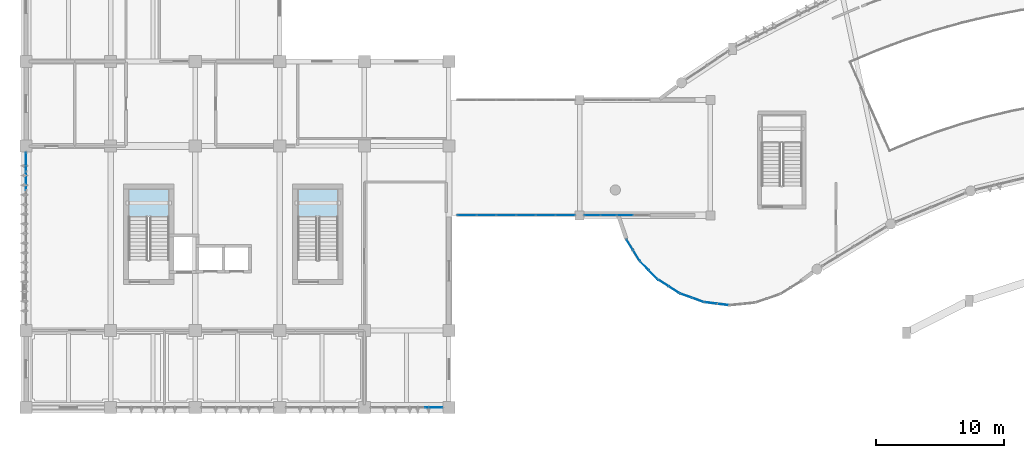
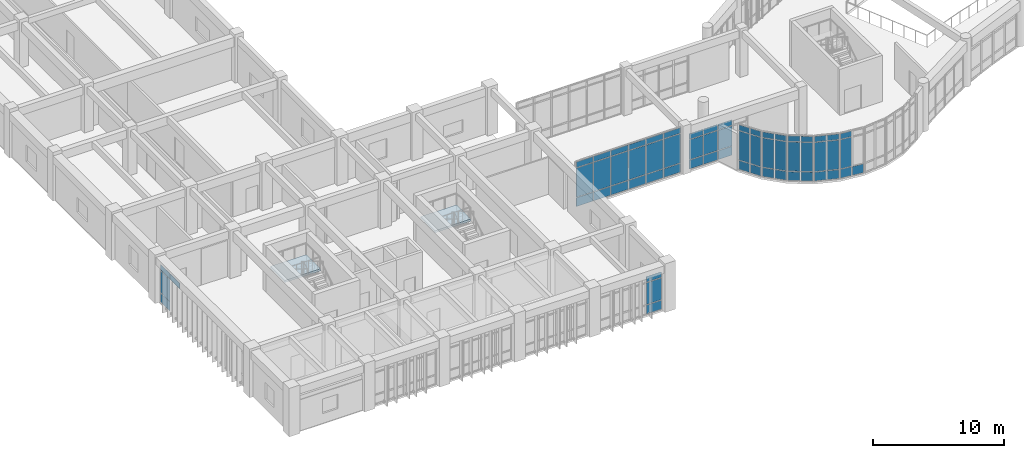
# One storey, part 32 of 57: 62 plates, 2 slabs, 11 elements without a shape of their own.
"""IFC4 building model written with IfcOpenShell, lengths in metres."""

from ifc_helpers import new_model, si_unit, direction, frame, origin, origin_2d, place, context, subcontext, project, spatial, polyline, rectangle, outline, extrude, material, layer, layer_set, type_object, element, aggregate, save


model = new_model("IFC4")

# Units and contexts
model_context = context("Model", 3, precision=1e-05, world=origin(), true_north=direction((0.0, 1.0)))
body_context = subcontext(model_context, "Body", "Model", "MODEL_VIEW")
ifc_project = project(units=[si_unit("LENGTHUNIT", "METRE"), si_unit("AREAUNIT", "SQUARE_METRE"), si_unit("VOLUMEUNIT", "CUBIC_METRE"), si_unit("PLANEANGLEUNIT", "RADIAN"), si_unit("MASSUNIT", "GRAM", prefix="KILO")], contexts=[model_context])

# Site, building, storey
site_placement = place(None, origin())
site = spatial("IfcSite", under=ifc_project, at=site_placement, CompositionType="ELEMENT")
building_placement = place(site_placement, origin())
building = spatial("IfcBuilding", under=site, at=building_placement, Name="Miralva Faculty of Natural Sciences", CompositionType="ELEMENT")
storey_placement = place(building_placement, frame((0.0, 0.0, 15.0)))
storey = spatial("IfcBuildingStorey", under=building, at=storey_placement, Name="L03", CompositionType="ELEMENT", Elevation=15.0)

# Curtain wall, plates
ifc_material_1 = material(Name="Laminated solar-control glass", Category="glass")
ifc_layer_1 = layer(ifc_material_1, 0.179931640625, Name="CW-RND-L03")
ifc_layer_set_1 = layer_set([ifc_layer_1], Name="Laminated solar-control glass")
curtain_wall_type_1 = type_object("IfcCurtainWallType", Name="CW-RND-L03", PredefinedType="USERDEFINED", material=ifc_layer_set_1)
curtain_wall_1_placement = place(storey_placement, origin())
curtain_wall_1 = element("IfcCurtainWall", 1, at=curtain_wall_1_placement, inside=storey, type_object=curtain_wall_type_1, Name="Curtain wall CW-06 L03-144", ObjectType="UNITISED CURTAIN WALL", PredefinedType="USERDEFINED")
ifc_layer_2 = layer(ifc_material_1, 0.028076171875, Name="PNL-P01")
ifc_layer_set_2 = layer_set([ifc_layer_2], Name="Laminated solar-control glass")
plate_type = type_object("IfcPlateType", Name="PNL-P01", PredefinedType="CURTAIN_PANEL", material=ifc_layer_set_2)
plate_1_placement = place(storey_placement, frame((56.412841796875, 11.1591796875, 0.06005859375), z_axis=(0.0, 0.0, 1.0), x_axis=(0.99254734183, -0.121859649701, 0.0)))
plate_1 = element("IfcPlate", 2, at=plate_1_placement, type_object=plate_type, Name="CW-06 panel 1.1", PredefinedType="CURTAIN_PANEL", context=body_context, shape_type="SweptSolid", body=[
    extrude(rectangle(XDim=0.91259765625, YDim=0.028076171875, at=origin_2d()), origin(), (0.0, 0.0, 1.0), 0.81005859375),
])
plate_2_placement = place(storey_placement, frame((56.412841796875, 11.1591796875, 0.929931640625), z_axis=(0.0, 0.0, 1.0), x_axis=(0.99254734183, -0.121859649701, 0.0)))
plate_2 = element("IfcPlate", 3, at=plate_2_placement, type_object=plate_type, Name="CW-06 panel 1.2", PredefinedType="CURTAIN_PANEL", context=body_context, shape_type="SweptSolid", body=[
    extrude(rectangle(XDim=0.91259765625, YDim=0.028076171875, at=origin_2d()), origin(), (0.0, 0.0, 1.0), 2.68994140625),
])
plate_3_placement = place(storey_placement, frame((56.412841796875, 11.1591796875, 3.68017578125), z_axis=(0.0, 0.0, 1.0), x_axis=(0.99254734183, -0.121859649701, 0.0)))
plate_3 = element("IfcPlate", 4, at=plate_3_placement, type_object=plate_type, Name="CW-06 panel 1.3", PredefinedType="CURTAIN_PANEL", context=body_context, shape_type="SweptSolid", body=[
    extrude(rectangle(XDim=0.91259765625, YDim=0.028076171875, at=origin_2d()), origin(), (0.0, 0.0, 1.0), 0.510009765625),
])
plate_4_placement = place(storey_placement, frame((57.38330078125, 11.0400390625, 0.06005859375), z_axis=(0.0, 0.0, 1.0), x_axis=(0.99254734183, -0.121859649701, 0.0)))
plate_4 = element("IfcPlate", 5, at=plate_4_placement, type_object=plate_type, Name="CW-06 panel 2.1", PredefinedType="CURTAIN_PANEL", context=body_context, shape_type="SweptSolid", body=[
    extrude(rectangle(XDim=0.91259765625, YDim=0.028076171875, at=origin_2d()), origin(), (0.0, 0.0, 1.0), 0.81005859375),
])
aggregate(curtain_wall_1, [plate_1, plate_2, plate_3, plate_4])

curtain_wall_2_placement = place(storey_placement, origin())
curtain_wall_2 = element("IfcCurtainWall", 6, at=curtain_wall_2_placement, inside=storey, type_object=curtain_wall_type_1, Name="Curtain wall CW-06 L03-145", ObjectType="UNITISED CURTAIN WALL", PredefinedType="USERDEFINED")
plate_5_placement = place(storey_placement, frame((54.490234375, 11.730224609375, 0.06005859375), z_axis=(0.0, 0.0, 1.0), x_axis=(0.940535451088, -0.339695547876, 0.0)))
plate_5 = element("IfcPlate", 7, at=plate_5_placement, type_object=plate_type, Name="CW-06 panel 1.1", PredefinedType="CURTAIN_PANEL", context=body_context, shape_type="SweptSolid", body=[
    extrude(rectangle(XDim=0.91259765625, YDim=0.028076171875, at=origin_2d()), origin(), (0.0, 0.0, 1.0), 0.81005859375),
])
plate_6_placement = place(storey_placement, frame((54.490234375, 11.730224609375, 0.929931640625), z_axis=(0.0, 0.0, 1.0), x_axis=(0.940535451088, -0.339695547876, 0.0)))
plate_6 = element("IfcPlate", 8, at=plate_6_placement, type_object=plate_type, Name="CW-06 panel 1.2", PredefinedType="CURTAIN_PANEL", context=body_context, shape_type="SweptSolid", body=[
    extrude(rectangle(XDim=0.91259765625, YDim=0.028076171875, at=origin_2d()), origin(), (0.0, 0.0, 1.0), 2.68994140625),
])
plate_7_placement = place(storey_placement, frame((54.490234375, 11.730224609375, 3.68017578125), z_axis=(0.0, 0.0, 1.0), x_axis=(0.940535451088, -0.339695547876, 0.0)))
plate_7 = element("IfcPlate", 9, at=plate_7_placement, type_object=plate_type, Name="CW-06 panel 1.3", PredefinedType="CURTAIN_PANEL", context=body_context, shape_type="SweptSolid", body=[
    extrude(rectangle(XDim=0.91259765625, YDim=0.028076171875, at=origin_2d()), origin(), (0.0, 0.0, 1.0), 0.510009765625),
])
plate_8_placement = place(storey_placement, frame((55.409912109375, 11.39794921875, 0.06005859375), z_axis=(0.0, 0.0, 1.0), x_axis=(0.940535451088, -0.339695547876, 0.0)))
plate_8 = element("IfcPlate", 10, at=plate_8_placement, type_object=plate_type, Name="CW-06 panel 2.1", PredefinedType="CURTAIN_PANEL", context=body_context, shape_type="SweptSolid", body=[
    extrude(rectangle(XDim=0.91259765625, YDim=0.028076171875, at=origin_2d()), origin(), (0.0, 0.0, 1.0), 0.81005859375),
])
plate_9_placement = place(storey_placement, frame((55.409912109375, 11.39794921875, 0.929931640625), z_axis=(0.0, 0.0, 1.0), x_axis=(0.940535451088, -0.339695547876, 0.0)))
plate_9 = element("IfcPlate", 11, at=plate_9_placement, type_object=plate_type, Name="CW-06 panel 2.2", PredefinedType="CURTAIN_PANEL", context=body_context, shape_type="SweptSolid", body=[
    extrude(rectangle(XDim=0.91259765625, YDim=0.028076171875, at=origin_2d()), origin(), (0.0, 0.0, 1.0), 2.68994140625),
])
plate_10_placement = place(storey_placement, frame((55.409912109375, 11.39794921875, 3.68017578125), z_axis=(0.0, 0.0, 1.0), x_axis=(0.940535451088, -0.339695547876, 0.0)))
plate_10 = element("IfcPlate", 12, at=plate_10_placement, type_object=plate_type, Name="CW-06 panel 2.3", PredefinedType="CURTAIN_PANEL", context=body_context, shape_type="SweptSolid", body=[
    extrude(rectangle(XDim=0.91259765625, YDim=0.028076171875, at=origin_2d()), origin(), (0.0, 0.0, 1.0), 0.510009765625),
])
aggregate(curtain_wall_2, [plate_5, plate_6, plate_7, plate_8, plate_9, plate_10])

curtain_wall_3_placement = place(storey_placement, origin())
curtain_wall_3 = element("IfcCurtainWall", 13, at=curtain_wall_3_placement, inside=storey, type_object=curtain_wall_type_1, Name="Curtain wall CW-06 L03-146", ObjectType="UNITISED CURTAIN WALL", PredefinedType="USERDEFINED")
plate_11_placement = place(storey_placement, frame((52.742919921875, 12.714599609375, 0.06005859375), z_axis=(0.0, 0.0, 1.0), x_axis=(0.841379438185, -0.540444854725, 0.0)))
plate_11 = element("IfcPlate", 14, at=plate_11_placement, type_object=plate_type, Name="CW-06 panel 1.1", PredefinedType="CURTAIN_PANEL", context=body_context, shape_type="SweptSolid", body=[
    extrude(rectangle(XDim=0.91259765625, YDim=0.028076171875, at=origin_2d()), origin(), (0.0, 0.0, 1.0), 0.81005859375),
])
plate_12_placement = place(storey_placement, frame((52.742919921875, 12.714599609375, 0.929931640625), z_axis=(0.0, 0.0, 1.0), x_axis=(0.841379438185, -0.540444854725, 0.0)))
plate_12 = element("IfcPlate", 15, at=plate_12_placement, type_object=plate_type, Name="CW-06 panel 1.2", PredefinedType="CURTAIN_PANEL", context=body_context, shape_type="SweptSolid", body=[
    extrude(rectangle(XDim=0.91259765625, YDim=0.028076171875, at=origin_2d()), origin(), (0.0, 0.0, 1.0), 2.68994140625),
])
plate_13_placement = place(storey_placement, frame((52.742919921875, 12.714599609375, 3.68017578125), z_axis=(0.0, 0.0, 1.0), x_axis=(0.841379438185, -0.540444854725, 0.0)))
plate_13 = element("IfcPlate", 16, at=plate_13_placement, type_object=plate_type, Name="CW-06 panel 1.3", PredefinedType="CURTAIN_PANEL", context=body_context, shape_type="SweptSolid", body=[
    extrude(rectangle(XDim=0.91259765625, YDim=0.028076171875, at=origin_2d()), origin(), (0.0, 0.0, 1.0), 0.510009765625),
])
plate_14_placement = place(storey_placement, frame((53.565673828125, 12.186279296875, 0.06005859375), z_axis=(0.0, 0.0, 1.0), x_axis=(0.841379438185, -0.540444854725, 0.0)))
plate_14 = element("IfcPlate", 17, at=plate_14_placement, type_object=plate_type, Name="CW-06 panel 2.1", PredefinedType="CURTAIN_PANEL", context=body_context, shape_type="SweptSolid", body=[
    extrude(rectangle(XDim=0.91259765625, YDim=0.028076171875, at=origin_2d()), origin(), (0.0, 0.0, 1.0), 0.81005859375),
])
plate_15_placement = place(storey_placement, frame((53.565673828125, 12.186279296875, 0.929931640625), z_axis=(0.0, 0.0, 1.0), x_axis=(0.841379438185, -0.540444854725, 0.0)))
plate_15 = element("IfcPlate", 18, at=plate_15_placement, type_object=plate_type, Name="CW-06 panel 2.2", PredefinedType="CURTAIN_PANEL", context=body_context, shape_type="SweptSolid", body=[
    extrude(rectangle(XDim=0.91259765625, YDim=0.028076171875, at=origin_2d()), origin(), (0.0, 0.0, 1.0), 2.68994140625),
])
plate_16_placement = place(storey_placement, frame((53.565673828125, 12.186279296875, 3.68017578125), z_axis=(0.0, 0.0, 1.0), x_axis=(0.841379438185, -0.540444854725, 0.0)))
plate_16 = element("IfcPlate", 19, at=plate_16_placement, type_object=plate_type, Name="CW-06 panel 2.3", PredefinedType="CURTAIN_PANEL", context=body_context, shape_type="SweptSolid", body=[
    extrude(rectangle(XDim=0.91259765625, YDim=0.028076171875, at=origin_2d()), origin(), (0.0, 0.0, 1.0), 0.510009765625),
])
aggregate(curtain_wall_3, [plate_11, plate_12, plate_13, plate_14, plate_15, plate_16])

curtain_wall_4_placement = place(storey_placement, origin())
curtain_wall_4 = element("IfcCurtainWall", 20, at=curtain_wall_4_placement, inside=storey, type_object=curtain_wall_type_1, Name="Curtain wall CW-06 L03-147", ObjectType="UNITISED CURTAIN WALL", PredefinedType="USERDEFINED")
plate_17_placement = place(storey_placement, frame((51.258544921875, 14.063232421875, 0.06005859375), z_axis=(0.0, 0.0, 1.0), x_axis=(0.700018458929, -0.714124749017, 0.0)))
plate_17 = element("IfcPlate", 21, at=plate_17_placement, type_object=plate_type, Name="CW-06 panel 1.1", PredefinedType="CURTAIN_PANEL", context=body_context, shape_type="SweptSolid", body=[
    extrude(rectangle(XDim=0.91259765625, YDim=0.028076171875, at=origin_2d()), origin(), (0.0, 0.0, 1.0), 0.81005859375),
])
plate_18_placement = place(storey_placement, frame((51.258544921875, 14.063232421875, 0.929931640625), z_axis=(0.0, 0.0, 1.0), x_axis=(0.700018458929, -0.714124749017, 0.0)))
plate_18 = element("IfcPlate", 22, at=plate_18_placement, type_object=plate_type, Name="CW-06 panel 1.2", PredefinedType="CURTAIN_PANEL", context=body_context, shape_type="SweptSolid", body=[
    extrude(rectangle(XDim=0.91259765625, YDim=0.028076171875, at=origin_2d()), origin(), (0.0, 0.0, 1.0), 2.68994140625),
])
plate_19_placement = place(storey_placement, frame((51.258544921875, 14.063232421875, 3.68017578125), z_axis=(0.0, 0.0, 1.0), x_axis=(0.700018458929, -0.714124749017, 0.0)))
plate_19 = element("IfcPlate", 23, at=plate_19_placement, type_object=plate_type, Name="CW-06 panel 1.3", PredefinedType="CURTAIN_PANEL", context=body_context, shape_type="SweptSolid", body=[
    extrude(rectangle(XDim=0.91259765625, YDim=0.028076171875, at=origin_2d()), origin(), (0.0, 0.0, 1.0), 0.510009765625),
])
plate_20_placement = place(storey_placement, frame((51.94287109375, 13.364990234375, 0.06005859375), z_axis=(0.0, 0.0, 1.0), x_axis=(0.700018458929, -0.714124749017, 0.0)))
plate_20 = element("IfcPlate", 24, at=plate_20_placement, type_object=plate_type, Name="CW-06 panel 2.1", PredefinedType="CURTAIN_PANEL", context=body_context, shape_type="SweptSolid", body=[
    extrude(rectangle(XDim=0.91259765625, YDim=0.028076171875, at=origin_2d()), origin(), (0.0, 0.0, 1.0), 0.81005859375),
])
plate_21_placement = place(storey_placement, frame((51.94287109375, 13.364990234375, 0.929931640625), z_axis=(0.0, 0.0, 1.0), x_axis=(0.700018458929, -0.714124749017, 0.0)))
plate_21 = element("IfcPlate", 25, at=plate_21_placement, type_object=plate_type, Name="CW-06 panel 2.2", PredefinedType="CURTAIN_PANEL", context=body_context, shape_type="SweptSolid", body=[
    extrude(rectangle(XDim=0.91259765625, YDim=0.028076171875, at=origin_2d()), origin(), (0.0, 0.0, 1.0), 2.68994140625),
])
plate_22_placement = place(storey_placement, frame((51.94287109375, 13.364990234375, 3.68017578125), z_axis=(0.0, 0.0, 1.0), x_axis=(0.700018458929, -0.714124749017, 0.0)))
plate_22 = element("IfcPlate", 26, at=plate_22_placement, type_object=plate_type, Name="CW-06 panel 2.3", PredefinedType="CURTAIN_PANEL", context=body_context, shape_type="SweptSolid", body=[
    extrude(rectangle(XDim=0.91259765625, YDim=0.028076171875, at=origin_2d()), origin(), (0.0, 0.0, 1.0), 0.510009765625),
])
aggregate(curtain_wall_4, [plate_17, plate_18, plate_19, plate_20, plate_21, plate_22])

curtain_wall_5_placement = place(storey_placement, origin())
curtain_wall_5 = element("IfcCurtainWall", 27, at=curtain_wall_5_placement, inside=storey, type_object=curtain_wall_type_1, Name="Curtain wall CW-06 L03-148", ObjectType="UNITISED CURTAIN WALL", PredefinedType="USERDEFINED")
plate_23_placement = place(storey_placement, frame((50.111328125, 15.70849609375, 0.06005859375), z_axis=(0.0, 0.0, 1.0), x_axis=(0.523550543884, -0.851994617353, 0.0)))
plate_23 = element("IfcPlate", 28, at=plate_23_placement, type_object=plate_type, Name="CW-06 panel 1.1", PredefinedType="CURTAIN_PANEL", context=body_context, shape_type="SweptSolid", body=[
    extrude(rectangle(XDim=0.91259765625, YDim=0.028076171875, at=origin_2d()), origin(), (0.0, 0.0, 1.0), 0.81005859375),
])
plate_24_placement = place(storey_placement, frame((50.111328125, 15.70849609375, 0.929931640625), z_axis=(0.0, 0.0, 1.0), x_axis=(0.523550543884, -0.851994617353, 0.0)))
plate_24 = element("IfcPlate", 29, at=plate_24_placement, type_object=plate_type, Name="CW-06 panel 1.2", PredefinedType="CURTAIN_PANEL", context=body_context, shape_type="SweptSolid", body=[
    extrude(rectangle(XDim=0.91259765625, YDim=0.028076171875, at=origin_2d()), origin(), (0.0, 0.0, 1.0), 2.68994140625),
])
plate_25_placement = place(storey_placement, frame((50.111328125, 15.70849609375, 3.68017578125), z_axis=(0.0, 0.0, 1.0), x_axis=(0.523550543884, -0.851994617353, 0.0)))
plate_25 = element("IfcPlate", 30, at=plate_25_placement, type_object=plate_type, Name="CW-06 panel 1.3", PredefinedType="CURTAIN_PANEL", context=body_context, shape_type="SweptSolid", body=[
    extrude(rectangle(XDim=0.91259765625, YDim=0.028076171875, at=origin_2d()), origin(), (0.0, 0.0, 1.0), 0.510009765625),
])
plate_26_placement = place(storey_placement, frame((50.623046875, 14.87548828125, 0.06005859375), z_axis=(0.0, 0.0, 1.0), x_axis=(0.523550543884, -0.851994617353, 0.0)))
plate_26 = element("IfcPlate", 31, at=plate_26_placement, type_object=plate_type, Name="CW-06 panel 2.1", PredefinedType="CURTAIN_PANEL", context=body_context, shape_type="SweptSolid", body=[
    extrude(rectangle(XDim=0.91259765625, YDim=0.028076171875, at=origin_2d()), origin(), (0.0, 0.0, 1.0), 0.81005859375),
])
plate_27_placement = place(storey_placement, frame((50.623046875, 14.87548828125, 0.929931640625), z_axis=(0.0, 0.0, 1.0), x_axis=(0.523550543884, -0.851994617353, 0.0)))
plate_27 = element("IfcPlate", 32, at=plate_27_placement, type_object=plate_type, Name="CW-06 panel 2.2", PredefinedType="CURTAIN_PANEL", context=body_context, shape_type="SweptSolid", body=[
    extrude(rectangle(XDim=0.91259765625, YDim=0.028076171875, at=origin_2d()), origin(), (0.0, 0.0, 1.0), 2.68994140625),
])
plate_28_placement = place(storey_placement, frame((50.623046875, 14.87548828125, 3.68017578125), z_axis=(0.0, 0.0, 1.0), x_axis=(0.523550543884, -0.851994617353, 0.0)))
plate_28 = element("IfcPlate", 33, at=plate_28_placement, type_object=plate_type, Name="CW-06 panel 2.3", PredefinedType="CURTAIN_PANEL", context=body_context, shape_type="SweptSolid", body=[
    extrude(rectangle(XDim=0.91259765625, YDim=0.028076171875, at=origin_2d()), origin(), (0.0, 0.0, 1.0), 0.510009765625),
])
aggregate(curtain_wall_5, [plate_23, plate_24, plate_25, plate_26, plate_27, plate_28])

ifc_layer_3 = layer(ifc_material_1, 0.179931640625, Name="CW-TWR-L03")
ifc_layer_set_3 = layer_set([ifc_layer_3], Name="Laminated solar-control glass")
curtain_wall_type_2 = type_object("IfcCurtainWallType", Name="CW-TWR-L03", PredefinedType="USERDEFINED", material=ifc_layer_set_3)
curtain_wall_6_placement = place(storey_placement, origin())
curtain_wall_6 = element("IfcCurtainWall", 34, at=curtain_wall_6_placement, inside=storey, type_object=curtain_wall_type_2, Name="Curtain wall CW-14 L03-227", ObjectType="UNITISED CURTAIN WALL", PredefinedType="USERDEFINED")
plate_29_placement = place(storey_placement, frame((34.8173828125, 3.0, 0.06005859375), z_axis=(0.0, 0.0, 1.0), x_axis=(1.0, 0.0, 0.0)))
plate_29 = element("IfcPlate", 35, at=plate_29_placement, type_object=plate_type, Name="CW-14 panel 4.1", PredefinedType="CURTAIN_PANEL", context=body_context, shape_type="SweptSolid", body=[
    extrude(rectangle(XDim=1.324951171875, YDim=0.028076171875, at=origin_2d()), origin(), (0.0, 0.0, 1.0), 0.81005859375),
])
plate_30_placement = place(storey_placement, frame((34.8173828125, 3.0, 0.93017578125), z_axis=(0.0, 0.0, 1.0), x_axis=(1.0, 0.0, 0.0)))
plate_30 = element("IfcPlate", 36, at=plate_30_placement, type_object=plate_type, Name="CW-14 panel 4.2", PredefinedType="CURTAIN_PANEL", context=body_context, shape_type="SweptSolid", body=[
    extrude(rectangle(XDim=1.324951171875, YDim=0.028076171875, at=origin_2d()), origin(), (0.0, 0.0, 1.0), 2.014892578125),
])
plate_31_placement = place(storey_placement, frame((34.8173828125, 3.0, 3.0048828125), z_axis=(0.0, 0.0, 1.0), x_axis=(1.0, 0.0, 0.0)))
plate_31 = element("IfcPlate", 37, at=plate_31_placement, type_object=plate_type, Name="CW-14 panel 4.3", PredefinedType="CURTAIN_PANEL", context=body_context, shape_type="SweptSolid", body=[
    extrude(rectangle(XDim=1.324951171875, YDim=0.028076171875, at=origin_2d()), origin(), (0.0, 0.0, 1.0), 0.510009765625),
])
aggregate(curtain_wall_6, [plate_29, plate_30, plate_31])

curtain_wall_7_placement = place(storey_placement, origin())
curtain_wall_7 = element("IfcCurtainWall", 38, at=curtain_wall_7_placement, inside=storey, type_object=curtain_wall_type_2, Name="Curtain wall CW-14 L03-228", ObjectType="UNITISED CURTAIN WALL", PredefinedType="USERDEFINED")
plate_32_placement = place(storey_placement, frame((3.0, 20.68994140625, 3.0048828125), z_axis=(0.0, 0.0, 1.0), x_axis=(0.0, 1.0, 0.0)))
plate_32 = element("IfcPlate", 39, at=plate_32_placement, type_object=plate_type, Name="CW-14 panel 8.3", PredefinedType="CURTAIN_PANEL", context=body_context, shape_type="SweptSolid", body=[
    extrude(rectangle(XDim=1.431640625, YDim=0.028076171875, at=origin_2d()), origin(), (0.0, 0.0, 1.0), 0.510009765625),
])
plate_33_placement = place(storey_placement, frame((3.0, 22.17041015625, 0.06005859375), z_axis=(0.0, 0.0, 1.0), x_axis=(0.0, 1.0, 0.0)))
plate_33 = element("IfcPlate", 40, at=plate_33_placement, type_object=plate_type, Name="CW-14 panel 9.1", PredefinedType="CURTAIN_PANEL", context=body_context, shape_type="SweptSolid", body=[
    extrude(rectangle(XDim=1.399169921875, YDim=0.028076171875, at=origin_2d()), origin(), (0.0, 0.0, 1.0), 0.81005859375),
])
plate_34_placement = place(storey_placement, frame((3.0, 22.17041015625, 0.93017578125), z_axis=(0.0, 0.0, 1.0), x_axis=(0.0, 1.0, 0.0)))
plate_34 = element("IfcPlate", 41, at=plate_34_placement, type_object=plate_type, Name="CW-14 panel 9.2", PredefinedType="CURTAIN_PANEL", context=body_context, shape_type="SweptSolid", body=[
    extrude(rectangle(XDim=1.399169921875, YDim=0.028076171875, at=origin_2d()), origin(), (0.0, 0.0, 1.0), 2.014892578125),
])
plate_35_placement = place(storey_placement, frame((3.0, 22.17041015625, 3.0048828125), z_axis=(0.0, 0.0, 1.0), x_axis=(0.0, 1.0, 0.0)))
plate_35 = element("IfcPlate", 42, at=plate_35_placement, type_object=plate_type, Name="CW-14 panel 9.3", PredefinedType="CURTAIN_PANEL", context=body_context, shape_type="SweptSolid", body=[
    extrude(rectangle(XDim=1.399169921875, YDim=0.028076171875, at=origin_2d()), origin(), (0.0, 0.0, 1.0), 0.510009765625),
])
aggregate(curtain_wall_7, [plate_32, plate_33, plate_34, plate_35])

ifc_layer_4 = layer(ifc_material_1, 0.179931640625, Name="CW-COM-L01")
ifc_layer_set_4 = layer_set([ifc_layer_4], Name="Laminated solar-control glass")
curtain_wall_type_3 = type_object("IfcCurtainWallType", Name="CW-COM-L01", PredefinedType="USERDEFINED", material=ifc_layer_set_4)
curtain_wall_8_placement = place(storey_placement, origin())
curtain_wall_8 = element("IfcCurtainWall", 43, at=curtain_wall_8_placement, inside=storey, type_object=curtain_wall_type_3, Name="Curtain wall CW-10 L03-300", ObjectType="UNITISED CURTAIN WALL", PredefinedType="USERDEFINED")
plate_36_placement = place(storey_placement, frame((37.405517578125, 18.0, 0.06005859375), z_axis=(0.0, 0.0, 1.0), x_axis=(1.0, 0.0, 0.0)))
plate_36 = element("IfcPlate", 44, at=plate_36_placement, type_object=plate_type, Name="CW-10 panel 1.1", PredefinedType="CURTAIN_PANEL", context=body_context, shape_type="SweptSolid", body=[
    extrude(rectangle(XDim=1.450927734375, YDim=0.028076171875, at=origin_2d()), origin(), (0.0, 0.0, 1.0), 0.81005859375),
])
plate_37_placement = place(storey_placement, frame((37.405517578125, 18.0, 0.929931640625), z_axis=(0.0, 0.0, 1.0), x_axis=(1.0, 0.0, 0.0)))
plate_37 = element("IfcPlate", 45, at=plate_37_placement, type_object=plate_type, Name="CW-10 panel 1.2", PredefinedType="CURTAIN_PANEL", context=body_context, shape_type="SweptSolid", body=[
    extrude(rectangle(XDim=1.450927734375, YDim=0.028076171875, at=origin_2d()), origin(), (0.0, 0.0, 1.0), 2.68994140625),
])
plate_38_placement = place(storey_placement, frame((37.405517578125, 18.0, 3.68017578125), z_axis=(0.0, 0.0, 1.0), x_axis=(1.0, 0.0, 0.0)))
plate_38 = element("IfcPlate", 46, at=plate_38_placement, type_object=plate_type, Name="CW-10 panel 1.3", PredefinedType="CURTAIN_PANEL", context=body_context, shape_type="SweptSolid", body=[
    extrude(rectangle(XDim=1.450927734375, YDim=0.028076171875, at=origin_2d()), origin(), (0.0, 0.0, 1.0), 0.510009765625),
])
plate_39_placement = place(storey_placement, frame((38.93115234375, 18.0, 0.06005859375), z_axis=(0.0, 0.0, 1.0), x_axis=(1.0, 0.0, 0.0)))
plate_39 = element("IfcPlate", 47, at=plate_39_placement, type_object=plate_type, Name="CW-10 panel 2.1", PredefinedType="CURTAIN_PANEL", context=body_context, shape_type="SweptSolid", body=[
    extrude(rectangle(XDim=1.480712890625, YDim=0.028076171875, at=origin_2d()), origin(), (0.0, 0.0, 1.0), 0.81005859375),
])
plate_40_placement = place(storey_placement, frame((38.93115234375, 18.0, 0.929931640625), z_axis=(0.0, 0.0, 1.0), x_axis=(1.0, 0.0, 0.0)))
plate_40 = element("IfcPlate", 48, at=plate_40_placement, type_object=plate_type, Name="CW-10 panel 2.2", PredefinedType="CURTAIN_PANEL", context=body_context, shape_type="SweptSolid", body=[
    extrude(rectangle(XDim=1.480712890625, YDim=0.028076171875, at=origin_2d()), origin(), (0.0, 0.0, 1.0), 2.68994140625),
])
plate_41_placement = place(storey_placement, frame((38.93115234375, 18.0, 3.68017578125), z_axis=(0.0, 0.0, 1.0), x_axis=(1.0, 0.0, 0.0)))
plate_41 = element("IfcPlate", 49, at=plate_41_placement, type_object=plate_type, Name="CW-10 panel 2.3", PredefinedType="CURTAIN_PANEL", context=body_context, shape_type="SweptSolid", body=[
    extrude(rectangle(XDim=1.480712890625, YDim=0.028076171875, at=origin_2d()), origin(), (0.0, 0.0, 1.0), 0.510009765625),
])
plate_42_placement = place(storey_placement, frame((40.47216796875, 18.0, 0.06005859375), z_axis=(0.0, 0.0, 1.0), x_axis=(1.0, 0.0, 0.0)))
plate_42 = element("IfcPlate", 50, at=plate_42_placement, type_object=plate_type, Name="CW-10 panel 3.1", PredefinedType="CURTAIN_PANEL", context=body_context, shape_type="SweptSolid", body=[
    extrude(rectangle(XDim=1.480712890625, YDim=0.028076171875, at=origin_2d()), origin(), (0.0, 0.0, 1.0), 0.81005859375),
])
plate_43_placement = place(storey_placement, frame((40.47216796875, 18.0, 0.929931640625), z_axis=(0.0, 0.0, 1.0), x_axis=(1.0, 0.0, 0.0)))
plate_43 = element("IfcPlate", 51, at=plate_43_placement, type_object=plate_type, Name="CW-10 panel 3.2", PredefinedType="CURTAIN_PANEL", context=body_context, shape_type="SweptSolid", body=[
    extrude(rectangle(XDim=1.480712890625, YDim=0.028076171875, at=origin_2d()), origin(), (0.0, 0.0, 1.0), 2.68994140625),
])
plate_44_placement = place(storey_placement, frame((40.47216796875, 18.0, 3.68017578125), z_axis=(0.0, 0.0, 1.0), x_axis=(1.0, 0.0, 0.0)))
plate_44 = element("IfcPlate", 52, at=plate_44_placement, type_object=plate_type, Name="CW-10 panel 3.3", PredefinedType="CURTAIN_PANEL", context=body_context, shape_type="SweptSolid", body=[
    extrude(rectangle(XDim=1.480712890625, YDim=0.028076171875, at=origin_2d()), origin(), (0.0, 0.0, 1.0), 0.510009765625),
])
plate_45_placement = place(storey_placement, frame((42.012939453125, 18.0, 0.06005859375), z_axis=(0.0, 0.0, 1.0), x_axis=(1.0, 0.0, 0.0)))
plate_45 = element("IfcPlate", 53, at=plate_45_placement, type_object=plate_type, Name="CW-10 panel 4.1", PredefinedType="CURTAIN_PANEL", context=body_context, shape_type="SweptSolid", body=[
    extrude(rectangle(XDim=1.480712890625, YDim=0.028076171875, at=origin_2d()), origin(), (0.0, 0.0, 1.0), 0.81005859375),
])
plate_46_placement = place(storey_placement, frame((42.012939453125, 18.0, 0.929931640625), z_axis=(0.0, 0.0, 1.0), x_axis=(1.0, 0.0, 0.0)))
plate_46 = element("IfcPlate", 54, at=plate_46_placement, type_object=plate_type, Name="CW-10 panel 4.2", PredefinedType="CURTAIN_PANEL", context=body_context, shape_type="SweptSolid", body=[
    extrude(rectangle(XDim=1.480712890625, YDim=0.028076171875, at=origin_2d()), origin(), (0.0, 0.0, 1.0), 2.68994140625),
])
plate_47_placement = place(storey_placement, frame((42.012939453125, 18.0, 3.68017578125), z_axis=(0.0, 0.0, 1.0), x_axis=(1.0, 0.0, 0.0)))
plate_47 = element("IfcPlate", 55, at=plate_47_placement, type_object=plate_type, Name="CW-10 panel 4.3", PredefinedType="CURTAIN_PANEL", context=body_context, shape_type="SweptSolid", body=[
    extrude(rectangle(XDim=1.480712890625, YDim=0.028076171875, at=origin_2d()), origin(), (0.0, 0.0, 1.0), 0.510009765625),
])
plate_48_placement = place(storey_placement, frame((43.5537109375, 18.0, 0.06005859375), z_axis=(0.0, 0.0, 1.0), x_axis=(1.0, 0.0, 0.0)))
plate_48 = element("IfcPlate", 56, at=plate_48_placement, type_object=plate_type, Name="CW-10 panel 5.1", PredefinedType="CURTAIN_PANEL", context=body_context, shape_type="SweptSolid", body=[
    extrude(rectangle(XDim=1.480712890625, YDim=0.028076171875, at=origin_2d()), origin(), (0.0, 0.0, 1.0), 0.81005859375),
])
plate_49_placement = place(storey_placement, frame((43.5537109375, 18.0, 0.929931640625), z_axis=(0.0, 0.0, 1.0), x_axis=(1.0, 0.0, 0.0)))
plate_49 = element("IfcPlate", 57, at=plate_49_placement, type_object=plate_type, Name="CW-10 panel 5.2", PredefinedType="CURTAIN_PANEL", context=body_context, shape_type="SweptSolid", body=[
    extrude(rectangle(XDim=1.480712890625, YDim=0.028076171875, at=origin_2d()), origin(), (0.0, 0.0, 1.0), 2.68994140625),
])
plate_50_placement = place(storey_placement, frame((43.5537109375, 18.0, 3.68017578125), z_axis=(0.0, 0.0, 1.0), x_axis=(1.0, 0.0, 0.0)))
plate_50 = element("IfcPlate", 58, at=plate_50_placement, type_object=plate_type, Name="CW-10 panel 5.3", PredefinedType="CURTAIN_PANEL", context=body_context, shape_type="SweptSolid", body=[
    extrude(rectangle(XDim=1.480712890625, YDim=0.028076171875, at=origin_2d()), origin(), (0.0, 0.0, 1.0), 0.510009765625),
])
plate_51_placement = place(storey_placement, frame((45.07958984375, 18.0, 0.06005859375), z_axis=(0.0, 0.0, 1.0), x_axis=(1.0, 0.0, 0.0)))
plate_51 = element("IfcPlate", 59, at=plate_51_placement, type_object=plate_type, Name="CW-10 panel 6.1", PredefinedType="CURTAIN_PANEL", context=body_context, shape_type="SweptSolid", body=[
    extrude(rectangle(XDim=1.450927734375, YDim=0.028076171875, at=origin_2d()), origin(), (0.0, 0.0, 1.0), 0.81005859375),
])
plate_52_placement = place(storey_placement, frame((45.07958984375, 18.0, 0.929931640625), z_axis=(0.0, 0.0, 1.0), x_axis=(1.0, 0.0, 0.0)))
plate_52 = element("IfcPlate", 60, at=plate_52_placement, type_object=plate_type, Name="CW-10 panel 6.2", PredefinedType="CURTAIN_PANEL", context=body_context, shape_type="SweptSolid", body=[
    extrude(rectangle(XDim=1.450927734375, YDim=0.028076171875, at=origin_2d()), origin(), (0.0, 0.0, 1.0), 2.68994140625),
])
plate_53_placement = place(storey_placement, frame((45.07958984375, 18.0, 3.68017578125), z_axis=(0.0, 0.0, 1.0), x_axis=(1.0, 0.0, 0.0)))
plate_53 = element("IfcPlate", 61, at=plate_53_placement, type_object=plate_type, Name="CW-10 panel 6.3", PredefinedType="CURTAIN_PANEL", context=body_context, shape_type="SweptSolid", body=[
    extrude(rectangle(XDim=1.450927734375, YDim=0.028076171875, at=origin_2d()), origin(), (0.0, 0.0, 1.0), 0.510009765625),
])
aggregate(curtain_wall_8, [plate_36, plate_37, plate_38, plate_39, plate_40, plate_41, plate_42, plate_43, plate_44, plate_45, plate_46, plate_47, plate_48, plate_49, plate_50, plate_51, plate_52, plate_53])

curtain_wall_9_placement = place(storey_placement, origin())
curtain_wall_9 = element("IfcCurtainWall", 62, at=curtain_wall_9_placement, inside=storey, type_object=curtain_wall_type_3, Name="Curtain wall CW-10 L03-301", ObjectType="UNITISED CURTAIN WALL", PredefinedType="USERDEFINED")
plate_54_placement = place(storey_placement, frame((47.193115234375, 18.0, 0.06005859375), z_axis=(0.0, 0.0, 1.0), x_axis=(1.0, 0.0, 0.0)))
plate_54 = element("IfcPlate", 63, at=plate_54_placement, type_object=plate_type, Name="CW-10 panel 1.1", PredefinedType="CURTAIN_PANEL", context=body_context, shape_type="SweptSolid", body=[
    extrude(rectangle(XDim=1.1962890625, YDim=0.028076171875, at=origin_2d()), origin(), (0.0, 0.0, 1.0), 0.81005859375),
])
plate_55_placement = place(storey_placement, frame((47.193115234375, 18.0, 0.929931640625), z_axis=(0.0, 0.0, 1.0), x_axis=(1.0, 0.0, 0.0)))
plate_55 = element("IfcPlate", 64, at=plate_55_placement, type_object=plate_type, Name="CW-10 panel 1.2", PredefinedType="CURTAIN_PANEL", context=body_context, shape_type="SweptSolid", body=[
    extrude(rectangle(XDim=1.1962890625, YDim=0.028076171875, at=origin_2d()), origin(), (0.0, 0.0, 1.0), 1.8349609375),
])
plate_56_placement = place(storey_placement, frame((47.193115234375, 18.0, 2.8251953125), z_axis=(0.0, 0.0, 1.0), x_axis=(1.0, 0.0, 0.0)))
plate_56 = element("IfcPlate", 65, at=plate_56_placement, type_object=plate_type, Name="CW-10 panel 1.3", PredefinedType="CURTAIN_PANEL", context=body_context, shape_type="SweptSolid", body=[
    extrude(rectangle(XDim=1.1962890625, YDim=0.028076171875, at=origin_2d()), origin(), (0.0, 0.0, 1.0), 0.510009765625),
])
plate_57_placement = place(storey_placement, frame((48.46435546875, 18.0, 0.06005859375), z_axis=(0.0, 0.0, 1.0), x_axis=(1.0, 0.0, 0.0)))
plate_57 = element("IfcPlate", 66, at=plate_57_placement, type_object=plate_type, Name="CW-10 panel 2.1", PredefinedType="CURTAIN_PANEL", context=body_context, shape_type="SweptSolid", body=[
    extrude(rectangle(XDim=1.226318359375, YDim=0.028076171875, at=origin_2d()), origin(), (0.0, 0.0, 1.0), 0.81005859375),
])
plate_58_placement = place(storey_placement, frame((48.46435546875, 18.0, 0.929931640625), z_axis=(0.0, 0.0, 1.0), x_axis=(1.0, 0.0, 0.0)))
plate_58 = element("IfcPlate", 67, at=plate_58_placement, type_object=plate_type, Name="CW-10 panel 2.2", PredefinedType="CURTAIN_PANEL", context=body_context, shape_type="SweptSolid", body=[
    extrude(rectangle(XDim=1.226318359375, YDim=0.028076171875, at=origin_2d()), origin(), (0.0, 0.0, 1.0), 1.8349609375),
])
plate_59_placement = place(storey_placement, frame((48.46435546875, 18.0, 2.8251953125), z_axis=(0.0, 0.0, 1.0), x_axis=(1.0, 0.0, 0.0)))
plate_59 = element("IfcPlate", 68, at=plate_59_placement, type_object=plate_type, Name="CW-10 panel 2.3", PredefinedType="CURTAIN_PANEL", context=body_context, shape_type="SweptSolid", body=[
    extrude(rectangle(XDim=1.226318359375, YDim=0.028076171875, at=origin_2d()), origin(), (0.0, 0.0, 1.0), 0.510009765625),
])
plate_60_placement = place(storey_placement, frame((49.750732421875, 18.0, 0.06005859375), z_axis=(0.0, 0.0, 1.0), x_axis=(1.0, 0.0, 0.0)))
plate_60 = element("IfcPlate", 69, at=plate_60_placement, type_object=plate_type, Name="CW-10 panel 3.1", PredefinedType="CURTAIN_PANEL", context=body_context, shape_type="SweptSolid", body=[
    extrude(rectangle(XDim=1.226318359375, YDim=0.028076171875, at=origin_2d()), origin(), (0.0, 0.0, 1.0), 0.81005859375),
])
plate_61_placement = place(storey_placement, frame((49.750732421875, 18.0, 0.929931640625), z_axis=(0.0, 0.0, 1.0), x_axis=(1.0, 0.0, 0.0)))
plate_61 = element("IfcPlate", 70, at=plate_61_placement, type_object=plate_type, Name="CW-10 panel 3.2", PredefinedType="CURTAIN_PANEL", context=body_context, shape_type="SweptSolid", body=[
    extrude(rectangle(XDim=1.226318359375, YDim=0.028076171875, at=origin_2d()), origin(), (0.0, 0.0, 1.0), 1.8349609375),
])
plate_62_placement = place(storey_placement, frame((49.750732421875, 18.0, 2.8251953125), z_axis=(0.0, 0.0, 1.0), x_axis=(1.0, 0.0, 0.0)))
plate_62 = element("IfcPlate", 71, at=plate_62_placement, type_object=plate_type, Name="CW-10 panel 3.3", PredefinedType="CURTAIN_PANEL", context=body_context, shape_type="SweptSolid", body=[
    extrude(rectangle(XDim=1.226318359375, YDim=0.028076171875, at=origin_2d()), origin(), (0.0, 0.0, 1.0), 0.510009765625),
])
aggregate(curtain_wall_9, [plate_54, plate_55, plate_56, plate_57, plate_58, plate_59, plate_60, plate_61, plate_62])

# Stair, slab
ifc_material_2 = material(Name="Concrete C40/50", Category="concrete")
stair_type = type_object("IfcStairType", Name="ST-CORE-450", PredefinedType="HALF_TURN_STAIR", material=ifc_material_2)
stair_1_placement = place(storey_placement, origin())
stair_1 = element("IfcStair", 72, at=stair_1_placement, inside=storey, type_object=stair_type, Name="Exit Stair Core C1 (ST-03) L03", PredefinedType="HALF_TURN_STAIR")
ifc_layer_5 = layer(ifc_material_2, 0.18994140625, Name="SL-LD01")
ifc_layer_set_5 = layer_set([ifc_layer_5], Name="Concrete C40/50")
slab_type = type_object("IfcSlabType", Name="SL-LD01", PredefinedType="LANDING", material=ifc_layer_set_5)
slab_1_placement = place(storey_placement, frame((0.0, 0.0, 2.06005859375)))
slab_1 = element("IfcSlab", 73, at=slab_1_placement, type_object=slab_type, Name="ST-03 landing 1", PredefinedType="LANDING", context=body_context, shape_type="SweptSolid", body=[
    extrude(outline(polyline([(14.14990234375, 17.860107421875), (14.14990234375, 20.050048828125), (11.0, 20.050048828125), (11.0, 17.860107421875), (14.14990234375, 17.860107421875)])), origin(), (0.0, 0.0, 1.0), 0.18994140625),
])
aggregate(stair_1, [slab_1])

stair_2_placement = place(storey_placement, origin())
stair_2 = element("IfcStair", 74, at=stair_2_placement, inside=storey, type_object=stair_type, Name="Exit Stair Core C1B (ST-03) L03", PredefinedType="HALF_TURN_STAIR")
slab_2_placement = place(storey_placement, frame((0.0, 0.0, 2.06005859375)))
slab_2 = element("IfcSlab", 75, at=slab_2_placement, type_object=slab_type, Name="ST-03 landing 1", PredefinedType="LANDING", context=body_context, shape_type="SweptSolid", body=[
    extrude(outline(polyline([(27.35009765625, 17.860107421875), (27.35009765625, 20.050048828125), (24.199951171875, 20.050048828125), (24.199951171875, 17.860107421875), (27.35009765625, 17.860107421875)])), origin(), (0.0, 0.0, 1.0), 0.18994140625),
])
aggregate(stair_2, [slab_2])

save(model, "model.ifc")
